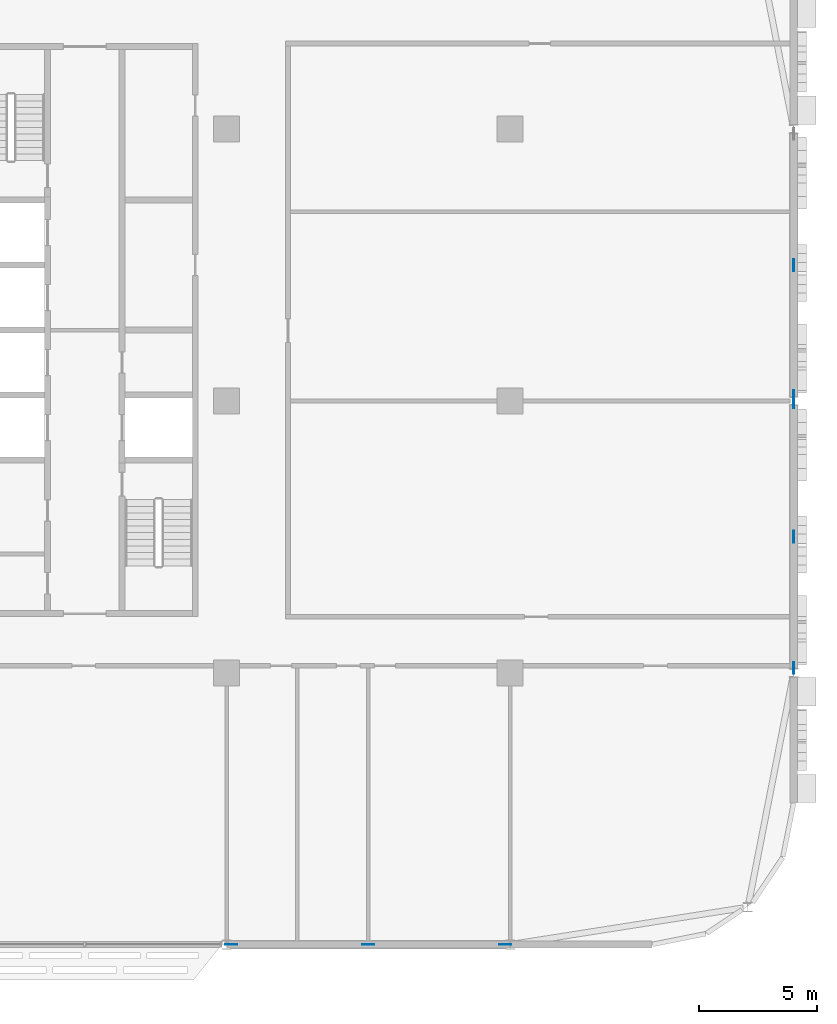
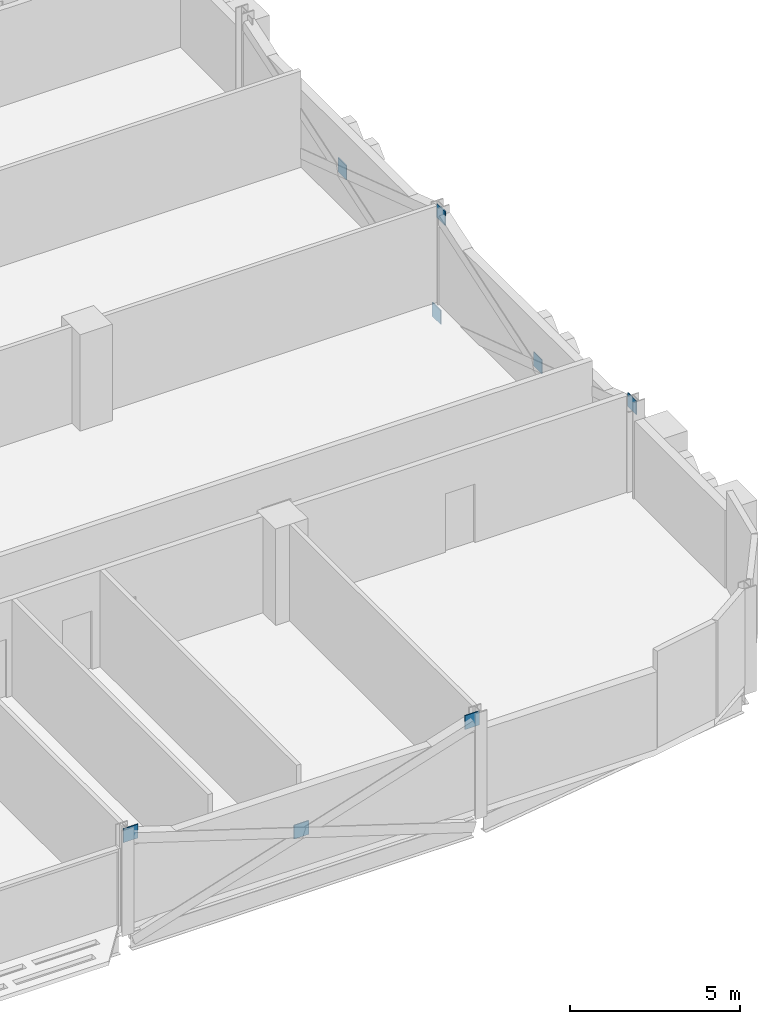
# One storey, part 23 of 30: 8 discrete accessories.
"""IFC4 building model written with IfcOpenShell, lengths in metres."""

import ifcopenshell
import ifcopenshell.guid

model = None  # the IFC model being written
_history = None  # IfcOwnerHistory: only IFC2X3 demands one
_inside = {}  # id of a spatial element -> (the spatial element, [elements in it])
_under = {}  # id of a project, library or spatial element -> (it, [spatial elements below it])
_declared = {}  # id of a project -> (the project, [libraries it declares])
_typed = {}  # id of a type object -> (the type object, [elements of that type])
_made_of = {}  # id of a material, layer set ... -> (it, [elements and type objects made of it])


def new_model(schema):
    """Start an empty IFC model of exactly this schema.

    Asked for "IFC4X3", IfcOpenShell would pick the latest addendum, in which some entities
    have other attributes; the version numbers below select the first issue.
    IFC2X3 requires an IfcOwnerHistory on every rooted entity: one is made here for all.
    """
    global model, _history
    if schema == "IFC4X3":
        model = ifcopenshell.file(schema_version=(4, 3, 0, 0))
    else:
        model = ifcopenshell.file(schema=schema)
    _inside.clear()
    _under.clear()
    _declared.clear()
    _typed.clear()
    _made_of.clear()
    _history = None
    if model.schema == "IFC2X3":
        org = make("IfcOrganization", Name="unknown")
        user = make(
            "IfcPersonAndOrganization",
            ThePerson=make("IfcPerson", FamilyName="unknown"),
            TheOrganization=org,
        )
        app = make(
            "IfcApplication",
            ApplicationDeveloper=org,
            Version="unknown",
            ApplicationFullName="unknown",
            ApplicationIdentifier="unknown",
        )
        _history = make(
            "IfcOwnerHistory",
            OwningUser=user,
            OwningApplication=app,
            ChangeAction="ADDED",
            CreationDate=0,
        )
    return model


def make(cls, **values):
    """One entity of the class cls with the attributes given. An attribute that is None is left unset."""
    return model.create_entity(
        cls, **{name: value for name, value in values.items() if value is not None}
    )


def rooted(cls, **values):
    """An entity with a GlobalId (a new one), such as an element, a storey or a relation."""
    return make(cls, GlobalId=ifcopenshell.guid.new(), OwnerHistory=_history, **values)


def si_unit(unit_type, name, prefix=None):
    """IfcSIUnit, for example si_unit("LENGTHUNIT", "METRE", prefix="MILLI")."""
    return make("IfcSIUnit", UnitType=unit_type, Prefix=prefix, Name=name)


def assignment(units):
    """IfcUnitAssignment: the units of a project."""
    return None if units is None else make("IfcUnitAssignment", Units=units)


def point(xyz):
    """IfcCartesianPoint."""
    return None if xyz is None else make("IfcCartesianPoint", Coordinates=xyz)


def direction(xyz):
    """IfcDirection."""
    return None if xyz is None else make("IfcDirection", DirectionRatios=xyz)


def frame(location, z_axis=None, x_axis=None):
    """IfcAxis2Placement3D, a coordinate frame: its origin and axes. An axis left out is left unset."""
    return make(
        "IfcAxis2Placement3D",
        Location=point(location),
        Axis=direction(z_axis),
        RefDirection=direction(x_axis),
    )


def frame_2d(location, x_axis=None):
    """IfcAxis2Placement2D, a coordinate frame in the plane: its origin and x axis."""
    return make(
        "IfcAxis2Placement2D", Location=point(location), RefDirection=direction(x_axis)
    )


def origin():
    """The frame at (0, 0, 0) with its axes left unset."""
    return frame((0.0, 0.0, 0.0))


def origin_2d():
    """The frame at (0, 0) in the plane with its x axis left unset."""
    return frame_2d((0.0, 0.0))


def place(relative_to, where):
    """IfcLocalPlacement: puts the frame where relative to a parent placement (None: the world)."""
    return make(
        "IfcLocalPlacement", PlacementRelTo=relative_to, RelativePlacement=where
    )


def context(
    kind, dimensions, precision=None, world=None, true_north=None, identifier=None
):
    """IfcGeometricRepresentationContext, for example the 3D "Model" context."""
    return make(
        "IfcGeometricRepresentationContext",
        ContextIdentifier=identifier,
        ContextType=kind,
        CoordinateSpaceDimension=dimensions,
        Precision=precision,
        WorldCoordinateSystem=world,
        TrueNorth=true_north,
    )


def subcontext(parent, identifier, kind, view, scale=None):
    """IfcGeometricRepresentationSubContext, for example "Body" below "Model"."""
    return make(
        "IfcGeometricRepresentationSubContext",
        ContextIdentifier=identifier,
        ContextType=kind,
        ParentContext=parent,
        TargetScale=scale,
        TargetView=view,
    )


def project(units=None, contexts=None):
    """IfcProject with its units and contexts."""
    return rooted(
        "IfcProject",
        Name="project",
        RepresentationContexts=contexts,
        UnitsInContext=assignment(units),
    )


def spatial(cls, under=None, at=None, **own):
    """A site, building, storey or space (cls), placed at a placement, below another one or the project."""
    s = rooted(cls, ObjectPlacement=at, **own)
    if under is not None:
        _under.setdefault(under.id(), (under, []))[1].append(s)
    return s


def profile(cls, at=None, kind="AREA", **sizes):
    """A parametric profile (cls). Its sizes go by their IFC names, for example OverallWidth=200.0."""
    return make(cls, ProfileType=kind, Position=at, **sizes)


def rectangle(**sizes):
    """IfcRectangleProfileDef."""
    return profile("IfcRectangleProfileDef", **sizes)


def extrude(swept, where, along, depth):
    """IfcExtrudedAreaSolid: the profile swept, set in the frame where, extruded along a direction by depth."""
    return make(
        "IfcExtrudedAreaSolid",
        SweptArea=swept,
        Position=where,
        ExtrudedDirection=direction(along),
        Depth=depth,
    )


def shape(context_of_items, identifier, shape_type, items):
    """IfcShapeRepresentation: the items that make up one representation, for example the "Body"."""
    return make(
        "IfcShapeRepresentation",
        ContextOfItems=context_of_items,
        RepresentationIdentifier=identifier,
        RepresentationType=shape_type,
        Items=items,
    )


def material(Name=None, Category=None):
    """IfcMaterial."""
    return make("IfcMaterial", Name=Name, Category=Category)


def layer(
    of_material, thickness, ventilated=None, Name=None, Category=None, Priority=None
):
    """IfcMaterialLayer: one layer of a wall or slab, of a material (None: an air gap)."""
    return make(
        "IfcMaterialLayer",
        Material=of_material,
        LayerThickness=thickness,
        IsVentilated=ventilated,
        Name=Name,
        Category=Category,
        Priority=Priority,
    )


def layer_set(layers, Name=None):
    """IfcMaterialLayerSet."""
    return make("IfcMaterialLayerSet", MaterialLayers=layers, LayerSetName=Name)


def made_of(thing, what):
    """Note that an element or type object is made of a material, layer set ...; save() writes the relation."""
    if what is not None:
        _made_of.setdefault(what.id(), (what, []))[1].append(thing)
    return thing


def type_object(cls, material=None, **own):
    """A type object (cls), such as IfcWallType, which elements share."""
    return made_of(rooted(cls, **own), material)


def element(
    cls,
    number,
    at=None,
    inside=None,
    cuts=None,
    type_object=None,
    material=None,
    context=None,
    identifier="Body",
    shape_type=None,
    held_by="IfcProductDefinitionShape",
    body=None,
    shapes=None,
    **own,
):
    """One element of the class cls, such as IfcWall. Its Tag is "e" and its number.

    at: its placement. inside: the storey or other place that contains it. cuts: it is an
    opening in that element (IfcRelVoidsElement). A single representation is given by context,
    identifier, shape_type and body (its items); several are given by shapes. held_by: the class
    of the entity that holds the representations. save() writes the other relations.
    """
    e = rooted(cls, Tag="e%d" % number, ObjectPlacement=at, **own)
    if body is not None:
        shapes = [shape(context, identifier, shape_type, body)]
    if shapes is not None:
        e.Representation = make(held_by, Representations=shapes)
    if inside is not None:
        _inside.setdefault(inside.id(), (inside, []))[1].append(e)
    if cuts is not None:
        rooted(
            "IfcRelVoidsElement", RelatingBuildingElement=cuts, RelatedOpeningElement=e
        )
    if type_object is not None:
        _typed.setdefault(type_object.id(), (type_object, []))[1].append(e)
    return made_of(e, material)


def aggregate(whole, parts):
    """IfcRelAggregates: a whole, such as a stair, and the parts it consists of."""
    return rooted("IfcRelAggregates", RelatingObject=whole, RelatedObjects=parts)


def save(model, path):
    """Write the relations noted so far, then the file.

    IfcRelAggregates (storeys below a building ...), IfcRelContainedInSpatialStructure (elements
    in a storey), IfcRelDefinesByType, IfcRelAssociatesMaterial and IfcRelDeclares: one each for
    every whole, place, type object, material and project.
    """
    for whole, parts in _under.values():
        aggregate(whole, parts)
    for where, things in _inside.values():
        rooted(
            "IfcRelContainedInSpatialStructure",
            RelatedElements=things,
            RelatingStructure=where,
        )
    for kind, things in _typed.values():
        rooted("IfcRelDefinesByType", RelatedObjects=things, RelatingType=kind)
    for what, things in _made_of.values():
        rooted("IfcRelAssociatesMaterial", RelatedObjects=things, RelatingMaterial=what)
    for by, libraries in _declared.values():
        rooted("IfcRelDeclares", RelatingContext=by, RelatedDefinitions=libraries)
    model.write(path)


model = new_model("IFC4")

# Units and contexts
model_context = context("Model", 3, precision=1e-05, world=origin(), true_north=direction((0.0, 1.0)))
body_context = subcontext(model_context, "Body", "Model", "MODEL_VIEW")
ifc_project = project(units=[si_unit("LENGTHUNIT", "METRE"), si_unit("AREAUNIT", "SQUARE_METRE"), si_unit("VOLUMEUNIT", "CUBIC_METRE"), si_unit("PLANEANGLEUNIT", "RADIAN"), si_unit("MASSUNIT", "GRAM", prefix="KILO")], contexts=[model_context])

# Site, building, storey
site_placement = place(None, origin())
site = spatial("IfcSite", under=ifc_project, at=site_placement, CompositionType="ELEMENT")
building_placement = place(site_placement, origin())
building = spatial("IfcBuilding", under=site, at=building_placement, Name="Mahtab Terrace Research Tower", CompositionType="ELEMENT")
storey_placement = place(building_placement, frame((0.0, 0.0, 212.89990234375)))
storey = spatial("IfcBuildingStorey", under=building, at=storey_placement, Name="L51", CompositionType="ELEMENT", Elevation=212.89990234375)

# Discrete accessories
ifc_material = material(Name="Steel ASTM A992 Gr 50", Category="steel")
ifc_layer = layer(ifc_material, 0.030029296875)
ifc_layer_set = layer_set([ifc_layer], Name="Gusset plate 500x500x30")
discrete_accessory_type = type_object("IfcDiscreteAccessoryType", Name="Gusset plate 500x500x30", PredefinedType="USERDEFINED", material=ifc_layer_set)
for number, where, z_axis, x_axis, name in (
    (1, (30.20068359375, -23.0, 2.87109375), (0.0, 0.0, 1.0), (1.0, 0.0, 0.0), "Gusset plate"),
    (2, (36.0, -23.0, 0.970947265625), (0.0, 0.0, 1.0), (1.0, 0.0, 0.0), "Gusset plate"),
    (3, (41.79931640625, -23.0, 2.87109375), (0.0, 0.0, 1.0), (1.0, 0.0, 0.0), "Gusset plate"),
    (4, (54.0, -11.300537109375, 2.87109375), (0.0, 0.0, 1.0), (0.0, 1.0, 0.0), "Gusset plate"),
    (5, (54.0, -5.75, 0.970947265625), (0.0, 0.0, 1.0), (0.0, 1.0, 0.0), "Gusset plate"),
    (6, (54.0, -0.06640625, 2.848876953125), (0.0, 0.0, 1.0), (0.0, 1.0, 0.0), "Gusset plate"),
    (7, (54.0, 0.199462890625, -0.863037109375), (0.0, 0.0, 1.0), (0.0, 1.0, 0.0), "Gusset plate"),
    (8, (54.0, 5.75, 0.970947265625), (0.0, 0.0, 1.0), (0.0, 1.0, 0.0), "Gusset plate"),
):
    element("IfcDiscreteAccessory", number, at=place(storey_placement, frame(where, z_axis=z_axis, x_axis=x_axis)), inside=storey, type_object=discrete_accessory_type, Name=name, ObjectType="GUSSET PLATE", PredefinedType="USERDEFINED", context=body_context, shape_type="SweptSolid", body=[
        extrude(rectangle(XDim=0.5, YDim=0.030029296875, at=origin_2d()), origin(), (0.0, 0.0, 1.0), 0.5),
    ])

save(model, "model.ifc")
